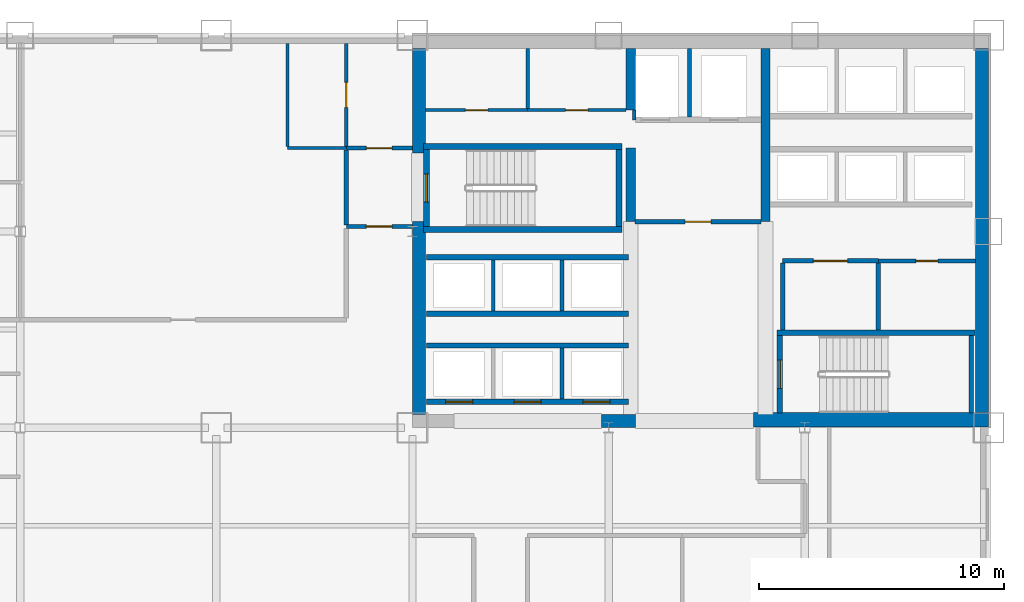
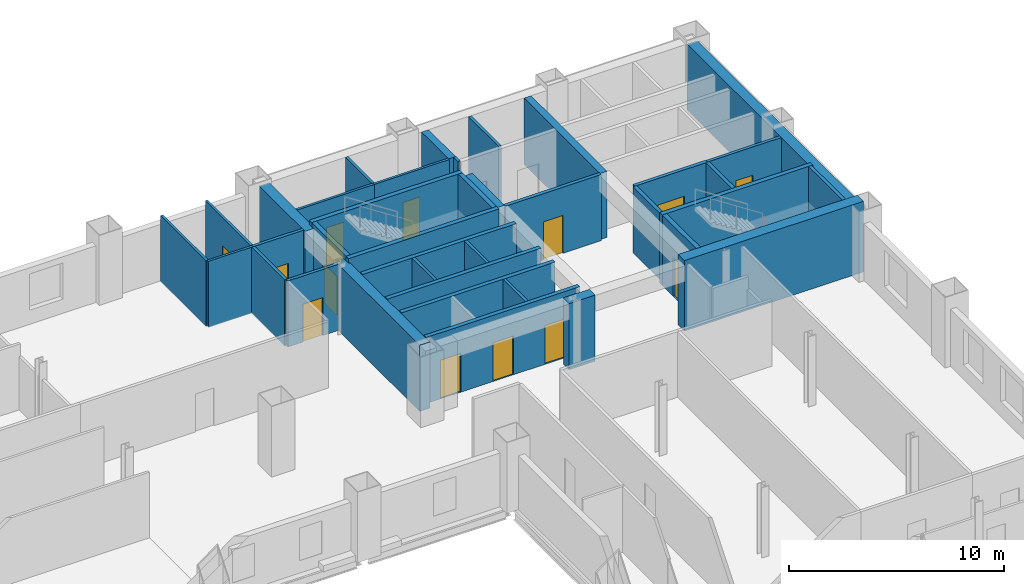
# One storey, part 6 of 9: 38 walls, 13 doors, 13 openings.
"""IFC4 building model written with IfcOpenShell, lengths in metres."""

from ifc_helpers import new_model, si_unit, direction, frame, frame_2d, origin, place, context, subcontext, project, spatial, rectangle, extrude, material, layer, layer_set, type_object, element, fill, save


model = new_model("IFC4")

# Units and contexts
model_context = context("Model", 3, precision=1e-05, world=origin(), true_north=direction((0.0, 1.0)))
body_context = subcontext(model_context, "Body", "Model", "MODEL_VIEW")
ifc_project = project(units=[si_unit("LENGTHUNIT", "METRE"), si_unit("AREAUNIT", "SQUARE_METRE"), si_unit("VOLUMEUNIT", "CUBIC_METRE"), si_unit("PLANEANGLEUNIT", "RADIAN"), si_unit("MASSUNIT", "GRAM", prefix="KILO")], contexts=[model_context])

# Site, building, storey
site_placement = place(None, origin())
site = spatial("IfcSite", under=ifc_project, at=site_placement, CompositionType="ELEMENT")
building_placement = place(site_placement, origin())
building = spatial("IfcBuilding", under=site, at=building_placement, Name="Qianrong Seaharbour Tower", CompositionType="ELEMENT")
storey_placement = place(building_placement, frame((0.0, 0.0, 68.199951171875)))
storey = spatial("IfcBuildingStorey", under=building, at=storey_placement, Name="L16", CompositionType="ELEMENT", Elevation=68.199951171875)

# Walls
ifc_material_1 = material(Name="Concrete C70/85", Category="concrete")
ifc_layer_1 = layer(ifc_material_1, 0.5400390625)
ifc_layer_set_1 = layer_set([ifc_layer_1], Name="Concrete C70/85")
wall_type_1 = type_object("IfcWallType", Name="WALL-CORE-540", PredefinedType="SHEAR", material=ifc_layer_set_1)
wall_1_placement = place(storey_placement, frame((63.72998046875, 36.320068359375, 0.0), z_axis=(0.0, 0.0, 1.0), x_axis=(0.0, 1.0, 0.0)))
element("IfcWall", 1, at=wall_1_placement, inside=storey, type_object=wall_type_1, Name="L16 East Core Shear Wall", PredefinedType="SHEAR", context=body_context, shape_type="SweptSolid", body=[
    extrude(rectangle(XDim=15.139892578125, YDim=0.5400390625, at=frame_2d((7.56982421875, 0.0))), origin(), (0.0, 0.0, 1.0), 3.75),
])
wall_2_placement = place(storey_placement, frame((40.77001953125, 36.5400390625, 0.0), z_axis=(0.0, 0.0, 1.0), x_axis=(0.0, 1.0, 0.0)))
element("IfcWall", 2, at=wall_2_placement, inside=storey, type_object=wall_type_1, Name="L16 West Core Shear Wall South", PredefinedType="SHEAR", context=body_context, shape_type="SweptSolid", body=[
    extrude(rectangle(XDim=7.85986328125, YDim=0.5400390625, at=frame_2d((3.929931640625, 0.0))), origin(), (0.0, 0.0, 1.0), 3.75),
])
wall_3_placement = place(storey_placement, frame((40.77001953125, 47.199951171875, 0.0), z_axis=(0.0, 0.0, 1.0), x_axis=(0.0, 1.0, 0.0)))
element("IfcWall", 3, at=wall_3_placement, inside=storey, type_object=wall_type_1, Name="L16 West Core Shear Wall North", PredefinedType="SHEAR", context=body_context, shape_type="SweptSolid", body=[
    extrude(rectangle(XDim=4.260009765625, YDim=0.5400390625, at=frame_2d((2.1298828125, 0.0))), origin(), (0.0, 0.0, 1.0), 3.75),
])
wall_4_placement = place(storey_placement, frame((48.199951171875, 36.27001953125, 0.0), z_axis=(0.0, 0.0, 1.0), x_axis=(1.0, 0.0, 0.0)))
element("IfcWall", 4, at=wall_4_placement, inside=storey, type_object=wall_type_1, Name="L16 South Core Shear Wall S2", PredefinedType="SHEAR", context=body_context, shape_type="SweptSolid", body=[
    extrude(rectangle(XDim=1.400146484375, YDim=0.5400390625, at=frame_2d((0.7001953125, 0.0))), origin(), (0.0, 0.0, 1.0), 3.75),
])
ifc_layer_2 = layer(ifc_material_1, 0.580078125)
ifc_layer_set_2 = layer_set([ifc_layer_2], Name="Concrete C70/85")
wall_type_2 = type_object("IfcWallType", Name="WALL-CORE-580", PredefinedType="SHEAR", material=ifc_layer_set_2)
wall_5_placement = place(storey_placement, frame((54.39990234375, 36.320068359375, 0.0), z_axis=(0.0, 0.0, 1.0), x_axis=(1.0, 0.0, 0.0)))
element("IfcWall", 5, at=wall_5_placement, inside=storey, type_object=wall_type_2, Name="L16 South Core Shear Wall S3", PredefinedType="SHEAR", context=body_context, shape_type="SweptSolid", body=[
    extrude(rectangle(XDim=9.60009765625, YDim=0.580078125, at=frame_2d((4.800048828125, 0.0))), origin(), (0.0, 0.0, 1.0), 4.0),
])
ifc_material_2 = material(Name="Concrete C60/75", Category="concrete")
ifc_layer_3 = layer(ifc_material_2, 0.3798828125)
ifc_layer_set_3 = layer_set([ifc_layer_3], Name="Concrete C60/75")
wall_type_3 = type_object("IfcWallType", Name="WALL-CORE-INT-380", PredefinedType="SHEAR", material=ifc_layer_set_3)
wall_6_placement = place(storey_placement, frame((49.39990234375, 44.39990234375, 0.0), z_axis=(0.0, 0.0, 1.0), x_axis=(0.0, 1.0, 0.0)))
element("IfcWall", 6, at=wall_6_placement, inside=storey, type_object=wall_type_3, Name="L16 Internal Core Shear Wall IW1N1", PredefinedType="SHEAR", context=body_context, shape_type="SweptSolid", body=[
    extrude(rectangle(XDim=3.0, YDim=0.3798828125, at=frame_2d((1.5, 0.0))), origin(), (0.0, 0.0, 1.0), 3.75),
])
wall_7_placement = place(storey_placement, frame((49.39990234375, 48.949951171875, 0.0), z_axis=(0.0, 0.0, 1.0), x_axis=(0.0, 1.0, 0.0)))
element("IfcWall", 7, at=wall_7_placement, inside=storey, type_object=wall_type_3, Name="L16 Internal Core Shear Wall IW1N2", PredefinedType="SHEAR", context=body_context, shape_type="SweptSolid", body=[
    extrude(rectangle(XDim=2.510009765625, YDim=0.3798828125, at=frame_2d((1.2548828125, 0.0))), origin(), (0.0, 0.0, 1.0), 3.75),
])
wall_8_placement = place(storey_placement, frame((54.89990234375, 44.39990234375, 0.0), z_axis=(0.0, 0.0, 1.0), x_axis=(0.0, 1.0, 0.0)))
element("IfcWall", 8, at=wall_8_placement, inside=storey, type_object=wall_type_3, Name="L16 Internal Core Shear Wall IW2N", PredefinedType="SHEAR", context=body_context, shape_type="SweptSolid", body=[
    extrude(rectangle(XDim=7.06005859375, YDim=0.3798828125, at=frame_2d((3.530029296875, 0.0))), origin(), (0.0, 0.0, 1.0), 3.75),
])

# Wall, opening, door
ifc_material_3 = material(Name="Fire-rated acoustic gypsum board partition")
ifc_layer_4 = layer(ifc_material_3, 0.1650390625)
ifc_layer_set_4 = layer_set([ifc_layer_4], Name="Fire-rated acoustic gypsum board partition")
wall_type_4 = type_object("IfcWallType", Name="WALL-CORR-PART-165", PredefinedType="PARTITIONING", material=ifc_layer_set_4)
wall_9_placement = place(storey_placement, frame((37.800048828125, 47.39990234375, 0.0), z_axis=(0.0, 0.0, 1.0), x_axis=(1.0, 0.0, 0.0)))
wall_9 = element("IfcWall", 9, at=wall_9_placement, inside=storey, type_object=wall_type_4, Name="L16 Interior Partition Wall 001", PredefinedType="PARTITIONING", context=body_context, shape_type="SweptSolid", body=[
    extrude(rectangle(XDim=2.699951171875, YDim=0.1650390625, at=frame_2d((1.35009765625, 0.0))), origin(), (0.0, 0.0, 1.0), 3.75),
])
opening_1_placement = place(wall_9_placement, frame((0.824951171875, 0.0, 0.0)))
opening_1 = element("IfcOpeningElement", 10, at=opening_1_placement, cuts=wall_9, Name="Opening DC-01", PredefinedType="OPENING", context=body_context, shape_type="SweptSolid", body=[
    extrude(rectangle(XDim=1.050048828125, YDim=2.14990234375, at=frame_2d((0.52490234375, 1.074951171875))), frame((0.0, 0.092529296875, 0.0), z_axis=(0.0, -1.0, 0.0), x_axis=(1.0, 0.0, 0.0)), (0.0, 0.0, 1.0), 0.18505859375),
])
ifc_material_4 = material(Name="Acoustic timber and galvanized steel fire door assembly", Category="steel")
door_type_1 = type_object("IfcDoorType", Name="DOOR-CORR-FD60-1050x2150", OperationType="NOTDEFINED", PredefinedType="DOOR", material=ifc_material_4)
door_1_placement = place(opening_1_placement, origin())
door_1 = element("IfcDoor", 11, at=door_1_placement, inside=storey, type_object=door_type_1, Name="L16 Smokeproof Stair Vestibule ST-1 Door", OperationType="SINGLE_SWING_LEFT", OverallHeight=2.14990234375, OverallWidth=1.050048828125, PredefinedType="DOOR", context=body_context, shape_type="SweptSolid", body=[
    extrude(rectangle(XDim=1.050048828125, YDim=2.14990234375, at=frame_2d((0.52490234375, 1.074951171875))), frame((0.0, 0.02490234375, 0.0), z_axis=(0.0, -1.0, 0.0), x_axis=(1.0, 0.0, 0.0)), (0.0, 0.0, 1.0), 0.050048828125),
])
fill(opening_1, door_1)

wall_10_placement = place(storey_placement, frame((40.5, 44.199951171875, 0.0), z_axis=(0.0, 0.0, 1.0), x_axis=(-1.0, 0.0, 0.0)))
wall_10 = element("IfcWall", 12, at=wall_10_placement, inside=storey, type_object=wall_type_4, Name="L16 Interior Partition Wall 002", PredefinedType="PARTITIONING", context=body_context, shape_type="SweptSolid", body=[
    extrude(rectangle(XDim=2.699951171875, YDim=0.1650390625, at=frame_2d((1.35009765625, 0.0))), origin(), (0.0, 0.0, 1.0), 3.75),
])
opening_2_placement = place(wall_10_placement, frame((0.824951171875, 0.0, 0.0)))
opening_2 = element("IfcOpeningElement", 13, at=opening_2_placement, cuts=wall_10, Name="Opening DC-01", PredefinedType="OPENING", context=body_context, shape_type="SweptSolid", body=[
    extrude(rectangle(XDim=1.050048828125, YDim=2.14990234375, at=frame_2d((0.52490234375, 1.074951171875))), frame((0.0, 0.092529296875, 0.0), z_axis=(0.0, -1.0, 0.0), x_axis=(1.0, 0.0, 0.0)), (0.0, 0.0, 1.0), 0.18505859375),
])
door_2_placement = place(opening_2_placement, origin())
door_2 = element("IfcDoor", 14, at=door_2_placement, inside=storey, type_object=door_type_1, Name="L16 Smokeproof Stair Vestibule ST-1 Door", OperationType="SINGLE_SWING_RIGHT", OverallHeight=2.14990234375, OverallWidth=1.050048828125, PredefinedType="DOOR", context=body_context, shape_type="SweptSolid", body=[
    extrude(rectangle(XDim=1.050048828125, YDim=2.14990234375, at=frame_2d((0.52490234375, 1.074951171875))), frame((0.0, 0.02490234375, 0.0), z_axis=(0.0, -1.0, 0.0), x_axis=(1.0, 0.0, 0.0)), (0.0, 0.0, 1.0), 0.050048828125),
])
fill(opening_2, door_2)

# Wall
wall_11_placement = place(storey_placement, frame((37.800048828125, 44.2744140625, 0.0), z_axis=(0.0, 0.0, 1.0), x_axis=(0.0, 1.0, 0.0)))
element("IfcWall", 15, at=wall_11_placement, inside=storey, type_object=wall_type_4, Name="L16 Interior Partition Wall 003", PredefinedType="PARTITIONING", context=body_context, shape_type="SweptSolid", body=[
    extrude(rectangle(XDim=3.051025390625, YDim=0.1650390625, at=frame_2d((1.525390625, 0.0))), origin(), (0.0, 0.0, 1.0), 3.75),
])

# Wall, opening, door
wall_12_placement = place(storey_placement, frame((63.4599609375, 42.800048828125, 0.0), z_axis=(0.0, 0.0, 1.0), x_axis=(-1.0, 0.0, 0.0)))
wall_12 = element("IfcWall", 16, at=wall_12_placement, inside=storey, type_object=wall_type_4, Name="L16 Interior Partition Wall 012", PredefinedType="PARTITIONING", context=body_context, shape_type="SweptSolid", body=[
    extrude(rectangle(XDim=3.9599609375, YDim=0.1650390625, at=frame_2d((1.97998046875, 0.0))), origin(), (0.0, 0.0, 1.0), 3.75),
])
opening_3_placement = place(wall_12_placement, frame((1.530029296875, 0.0, 0.0)))
opening_3 = element("IfcOpeningElement", 17, at=opening_3_placement, cuts=wall_12, Name="Opening DS-01", PredefinedType="OPENING", context=body_context, shape_type="SweptSolid", body=[
    extrude(rectangle(XDim=0.89990234375, YDim=2.14990234375, at=frame_2d((0.449951171875, 1.074951171875))), frame((0.0, 0.092529296875, 0.0), z_axis=(0.0, -1.0, 0.0), x_axis=(1.0, 0.0, 0.0)), (0.0, 0.0, 1.0), 0.18505859375),
])
door_type_2 = type_object("IfcDoorType", Name="DOOR-STORE-900x2150", OperationType="NOTDEFINED", PredefinedType="DOOR", material=ifc_material_4)
door_3_placement = place(opening_3_placement, origin())
door_3 = element("IfcDoor", 18, at=door_3_placement, inside=storey, type_object=door_type_2, Name="L16 Cleaner Store Room Door", OperationType="SINGLE_SWING_LEFT", OverallHeight=2.14990234375, OverallWidth=0.89990234375, PredefinedType="DOOR", context=body_context, shape_type="SweptSolid", body=[
    extrude(rectangle(XDim=0.89990234375, YDim=2.14990234375, at=frame_2d((0.449951171875, 1.074951171875))), frame((0.0, 0.02490234375, 0.0), z_axis=(0.0, -1.0, 0.0), x_axis=(1.0, 0.0, 0.0)), (0.0, 0.0, 1.0), 0.050048828125),
])
fill(opening_3, door_3)

ifc_material_5 = material(Name="Double fire-rated gypsum board acoustic partition")
ifc_layer_5 = layer(ifc_material_5, 0.18994140625)
ifc_layer_set_5 = layer_set([ifc_layer_5], Name="Double fire-rated gypsum board acoustic partition")
wall_type_5 = type_object("IfcWallType", Name="WALL-FIRE-PART-190", PredefinedType="PARTITIONING", material=ifc_layer_set_5)
wall_13_placement = place(storey_placement, frame((54.718017578125, 44.39990234375, 0.0), z_axis=(0.0, 0.0, 1.0), x_axis=(-1.0, 0.0, 0.0)))
wall_13 = element("IfcWall", 19, at=wall_13_placement, inside=storey, type_object=wall_type_5, Name="L16 Interior Partition Wall 009", PredefinedType="PARTITIONING", context=body_context, shape_type="SweptSolid", body=[
    extrude(rectangle(XDim=5.135986328125, YDim=0.18994140625, at=frame_2d((2.56787109375, 0.0))), origin(), (0.0, 0.0, 1.0), 3.75),
])
opening_4_placement = place(wall_13_placement, frame((2.04296875, 0.0, 0.0)))
opening_4 = element("IfcOpeningElement", 20, at=opening_4_placement, cuts=wall_13, Name="Opening DC-01", PredefinedType="OPENING", context=body_context, shape_type="SweptSolid", body=[
    extrude(rectangle(XDim=1.050048828125, YDim=2.14990234375, at=frame_2d((0.52490234375, 1.074951171875))), frame((0.0, 0.10498046875, 0.0), z_axis=(0.0, -1.0, 0.0), x_axis=(1.0, 0.0, 0.0)), (0.0, 0.0, 1.0), 0.2099609375),
])
door_4_placement = place(opening_4_placement, origin())
door_4 = element("IfcDoor", 21, at=door_4_placement, inside=storey, type_object=door_type_1, Name="L16 Firefighting Lift Lobby Door", OperationType="SINGLE_SWING_RIGHT", OverallHeight=2.14990234375, OverallWidth=1.050048828125, PredefinedType="DOOR", context=body_context, shape_type="SweptSolid", body=[
    extrude(rectangle(XDim=1.050048828125, YDim=2.14990234375, at=frame_2d((0.52490234375, 1.074951171875))), frame((0.0, 0.02490234375, 0.0), z_axis=(0.0, -1.0, 0.0), x_axis=(1.0, 0.0, 0.0)), (0.0, 0.0, 1.0), 0.050048828125),
])
fill(opening_4, door_4)

# Wall
wall_14_placement = place(storey_placement, frame((55.60009765625, 42.712890625, 0.0), z_axis=(0.0, 0.0, 1.0), x_axis=(0.0, -1.0, 0.0)))
element("IfcWall", 22, at=wall_14_placement, inside=storey, type_object=wall_type_5, Name="L16 Interior Partition Wall 010", PredefinedType="PARTITIONING", context=body_context, shape_type="SweptSolid", body=[
    extrude(rectangle(XDim=2.73095703125, YDim=0.18994140625, at=frame_2d((1.365478515625, 0.0))), origin(), (0.0, 0.0, 1.0), 3.75),
])

# Wall, opening, door
wall_15_placement = place(storey_placement, frame((59.5, 42.800048828125, 0.0), z_axis=(0.0, 0.0, 1.0), x_axis=(-1.0, 0.0, 0.0)))
wall_15 = element("IfcWall", 23, at=wall_15_placement, inside=storey, type_object=wall_type_5, Name="L16 Interior Partition Wall 011", PredefinedType="PARTITIONING", context=body_context, shape_type="SweptSolid", body=[
    extrude(rectangle(XDim=3.89990234375, YDim=0.18994140625, at=frame_2d((1.949951171875, 0.0))), origin(), (0.0, 0.0, 1.0), 3.75),
])
opening_5_placement = place(wall_15_placement, frame((1.25, 0.0, 0.0)))
opening_5 = element("IfcOpeningElement", 24, at=opening_5_placement, cuts=wall_15, Name="Opening DP-01", PredefinedType="OPENING", context=body_context, shape_type="SweptSolid", body=[
    extrude(rectangle(XDim=1.39990234375, YDim=2.25, at=frame_2d((0.699951171875, 1.125))), frame((0.0, 0.10498046875, 0.0), z_axis=(0.0, -1.0, 0.0), x_axis=(1.0, 0.0, 0.0)), (0.0, 0.0, 1.0), 0.2099609375),
])
door_type_3 = type_object("IfcDoorType", Name="DOOR-PLANT-PAIR-1400x2250", OperationType="DOUBLE_DOOR_SINGLE_SWING", PredefinedType="DOOR", material=ifc_material_4)
door_5_placement = place(opening_5_placement, origin())
door_5 = element("IfcDoor", 25, at=door_5_placement, inside=storey, type_object=door_type_3, Name="L16 Electrical Substation Door", OperationType="DOUBLE_DOOR_SINGLE_SWING", OverallHeight=2.25, OverallWidth=1.39990234375, PredefinedType="DOOR", context=body_context, shape_type="SweptSolid", body=[
    extrude(rectangle(XDim=1.39990234375, YDim=2.25, at=frame_2d((0.699951171875, 1.125))), frame((0.0, 0.02490234375, 0.0), z_axis=(0.0, -1.0, 0.0), x_axis=(1.0, 0.0, 0.0)), (0.0, 0.0, 1.0), 0.050048828125),
])
fill(opening_5, door_5)

# Walls
wall_16_placement = place(storey_placement, frame((59.5, 42.712890625, 0.0), z_axis=(0.0, 0.0, 1.0), x_axis=(0.0, -1.0, 0.0)))
element("IfcWall", 26, at=wall_16_placement, inside=storey, type_object=wall_type_5, Name="L16 Interior Partition Wall 014", PredefinedType="PARTITIONING", context=body_context, shape_type="SweptSolid", body=[
    extrude(rectangle(XDim=2.73095703125, YDim=0.18994140625, at=frame_2d((1.365478515625, 0.0))), origin(), (0.0, 0.0, 1.0), 3.75),
])
ifc_material_6 = material(Name="Fire-rated gypsum board on steel studs", Category="steel")
ifc_layer_6 = layer(ifc_material_6, 0.14990234375)
ifc_layer_set_6 = layer_set([ifc_layer_6], Name="Fire-rated gypsum board on steel studs")
wall_type_6 = type_object("IfcWallType", Name="WALL-SHAFT-DIV-150", PredefinedType="PARTITIONING", material=ifc_layer_set_6)
wall_17_placement = place(storey_placement, frame((51.800048828125, 48.669921875, 0.0), z_axis=(0.0, 0.0, 1.0), x_axis=(0.0, 1.0, 0.0)))
element("IfcWall", 27, at=wall_17_placement, inside=storey, type_object=wall_type_6, Name="L16 Firefighting Lift Shaft Divider Wall", PredefinedType="PARTITIONING", context=body_context, shape_type="SweptSolid", body=[
    extrude(rectangle(XDim=2.7900390625, YDim=0.14990234375, at=frame_2d((1.39501953125, 0.0))), origin(), (0.0, 0.0, 1.0), 3.75),
])
wall_18_placement = place(storey_placement, frame((49.550048828125, 48.550048828125, 0.0), z_axis=(0.0, 0.0, 1.0), x_axis=(0.0, 1.0, 0.0)))
element("IfcWall", 28, at=wall_18_placement, inside=storey, type_object=wall_type_6, Name="L16 Firefighting Lift Shaft West Return Wall", PredefinedType="PARTITIONING", context=body_context, shape_type="SweptSolid", body=[
    extrude(rectangle(XDim=0.39990234375, YDim=0.14990234375, at=frame_2d((0.199951171875, 0.0))), origin(), (0.0, 0.0, 1.0), 3.75),
])
for number, where, z_axis, x_axis, name in (
    (29, (46.60009765625, 37.159912109375, 0.0), (0.0, 0.0, 1.0), (0.0, 1.0, 0.0), "L16 P1 Lift Hoistway Divider 3"),
    (30, (43.800048828125, 40.760009765625, 0.0), (0.0, 0.0, 1.0), (0.0, 1.0, 0.0), "L16 P2 Lift Hoistway Divider 2"),
    (31, (46.60009765625, 40.760009765625, 0.0), (0.0, 0.0, 1.0), (0.0, 1.0, 0.0), "L16 P2 Lift Hoistway Divider 3"),
):
    element("IfcWall", number, at=place(storey_placement, frame(where, z_axis=z_axis, x_axis=x_axis)), inside=storey, type_object=wall_type_6, Name=name, PredefinedType="PARTITIONING", context=body_context, shape_type="SweptSolid", body=[
        extrude(rectangle(XDim=2.080078125, YDim=0.14990234375, at=frame_2d((1.0400390625, 0.0))), origin(), (0.0, 0.0, 1.0), 3.75),
    ])

# Wall, openings, doors
ifc_layer_7 = layer(ifc_material_6, 0.219970703125)
ifc_layer_set_7 = layer_set([ifc_layer_7], Name="Fire-rated gypsum board on steel studs")
wall_type_7 = type_object("IfcWallType", Name="WALL-SHAFT-GYP220", PredefinedType="PARTITIONING", material=ifc_layer_set_7)
wall_19_placement = place(storey_placement, frame((49.320068359375, 37.050048828125, 0.0), z_axis=(0.0, 0.0, 1.0), x_axis=(-1.0, 0.0, 0.0)))
wall_19 = element("IfcWall", 32, at=wall_19_placement, inside=storey, type_object=wall_type_7, Name="L16 P1 Lift Hoistway Front Wall", PredefinedType="PARTITIONING", context=body_context, shape_type="SweptSolid", body=[
    extrude(rectangle(XDim=8.239990234375, YDim=0.219970703125, at=frame_2d((4.1201171875, 0.0))), origin(), (0.0, 0.0, 1.0), 3.75),
])
opening_6_placement = place(wall_19_placement, frame((6.3701171875, 0.0, 0.0)))
opening_6 = element("IfcOpeningElement", 33, at=opening_6_placement, cuts=wall_19, Name="Opening LD-02", PredefinedType="OPENING", context=body_context, shape_type="SweptSolid", body=[
    extrude(rectangle(XDim=1.10009765625, YDim=2.199951171875, at=frame_2d((0.550048828125, 1.10009765625))), frame((0.0, 0.1201171875, 0.0), z_axis=(0.0, -1.0, 0.0), x_axis=(1.0, 0.0, 0.0)), (0.0, 0.0, 1.0), 0.239990234375),
])
opening_7_placement = place(wall_19_placement, frame((3.570068359375, 0.0, 0.0)))
opening_7 = element("IfcOpeningElement", 34, at=opening_7_placement, cuts=wall_19, Name="Opening LD-02", PredefinedType="OPENING", context=body_context, shape_type="SweptSolid", body=[
    extrude(rectangle(XDim=1.10009765625, YDim=2.199951171875, at=frame_2d((0.550048828125, 1.10009765625))), frame((0.0, 0.1201171875, 0.0), z_axis=(0.0, -1.0, 0.0), x_axis=(1.0, 0.0, 0.0)), (0.0, 0.0, 1.0), 0.239990234375),
])
opening_8_placement = place(wall_19_placement, frame((0.77001953125, 0.0, 0.0)))
opening_8 = element("IfcOpeningElement", 35, at=opening_8_placement, cuts=wall_19, Name="Opening LD-02", PredefinedType="OPENING", context=body_context, shape_type="SweptSolid", body=[
    extrude(rectangle(XDim=1.10009765625, YDim=2.199951171875, at=frame_2d((0.550048828125, 1.10009765625))), frame((0.0, 0.1201171875, 0.0), z_axis=(0.0, -1.0, 0.0), x_axis=(1.0, 0.0, 0.0)), (0.0, 0.0, 1.0), 0.239990234375),
])
ifc_material_7 = material(Name="Stainless steel SUS316L bi-parting lift landing door", Category="steel")
door_type_4 = type_object("IfcDoorType", Name="DOOR-LIFT-PASS-1100x2200", OperationType="DOUBLE_DOOR_SLIDING", PredefinedType="DOOR", material=ifc_material_7)
door_6_placement = place(opening_6_placement, origin())
door_6 = element("IfcDoor", 36, at=door_6_placement, inside=storey, type_object=door_type_4, Name="L16 PL-1A Lift Landing Door", OperationType="DOUBLE_DOOR_SLIDING", OverallHeight=2.199951171875, OverallWidth=1.10009765625, PredefinedType="DOOR", context=body_context, shape_type="SweptSolid", body=[
    extrude(rectangle(XDim=1.10009765625, YDim=2.199951171875, at=frame_2d((0.550048828125, 1.10009765625))), frame((0.0, 0.02490234375, 0.0), z_axis=(0.0, -1.0, 0.0), x_axis=(1.0, 0.0, 0.0)), (0.0, 0.0, 1.0), 0.050048828125),
])
fill(opening_6, door_6)
door_7_placement = place(opening_7_placement, origin())
door_7 = element("IfcDoor", 37, at=door_7_placement, inside=storey, type_object=door_type_4, Name="L16 PL-1B Lift Landing Door", OperationType="DOUBLE_DOOR_SLIDING", OverallHeight=2.199951171875, OverallWidth=1.10009765625, PredefinedType="DOOR", context=body_context, shape_type="SweptSolid", body=[
    extrude(rectangle(XDim=1.10009765625, YDim=2.199951171875, at=frame_2d((0.550048828125, 1.10009765625))), frame((0.0, 0.02490234375, 0.0), z_axis=(0.0, -1.0, 0.0), x_axis=(1.0, 0.0, 0.0)), (0.0, 0.0, 1.0), 0.050048828125),
])
fill(opening_7, door_7)
door_8_placement = place(opening_8_placement, origin())
door_8 = element("IfcDoor", 38, at=door_8_placement, inside=storey, type_object=door_type_4, Name="L16 PL-1C Lift Landing Door", OperationType="DOUBLE_DOOR_SLIDING", OverallHeight=2.199951171875, OverallWidth=1.10009765625, PredefinedType="DOOR", context=body_context, shape_type="SweptSolid", body=[
    extrude(rectangle(XDim=1.10009765625, YDim=2.199951171875, at=frame_2d((0.550048828125, 1.10009765625))), frame((0.0, 0.02490234375, 0.0), z_axis=(0.0, -1.0, 0.0), x_axis=(1.0, 0.0, 0.0)), (0.0, 0.0, 1.0), 0.050048828125),
])
fill(opening_8, door_8)

# Walls
for number, where, z_axis, x_axis, name in (
    (39, (41.080078125, 39.35009765625, 0.0), (0.0, 0.0, 1.0), (1.0, 0.0, 0.0), "L16 P1 Lift Hoistway Back Wall"),
    (40, (49.320068359375, 40.64990234375, 0.0), (0.0, 0.0, 1.0), (-1.0, 0.0, 0.0), "L16 P2 Lift Hoistway Front Wall"),
    (41, (41.080078125, 42.949951171875, 0.0), (0.0, 0.0, 1.0), (1.0, 0.0, 0.0), "L16 P2 Lift Hoistway Back Wall"),
):
    element("IfcWall", number, at=place(storey_placement, frame(where, z_axis=z_axis, x_axis=x_axis)), inside=storey, type_object=wall_type_7, Name=name, PredefinedType="PARTITIONING", context=body_context, shape_type="SweptSolid", body=[
        extrude(rectangle(XDim=8.239990234375, YDim=0.219970703125, at=frame_2d((4.1201171875, 0.0))), origin(), (0.0, 0.0, 1.0), 3.75),
    ])
ifc_material_8 = material(Name="Concrete C50/60", Category="concrete")
ifc_layer_8 = layer(ifc_material_8, 0.239990234375)
ifc_layer_set_8 = layer_set([ifc_layer_8], Name="Concrete C50/60")
wall_type_8 = type_object("IfcWallType", Name="WALL-SHAFT-RC240", PredefinedType="SOLIDWALL", material=ifc_layer_set_8)
for number, where, z_axis, x_axis, name in (
    (42, (40.9599609375, 47.469970703125, 0.0), (0.0, 0.0, 1.0), (1.0, 0.0, 0.0), "L16 ST-1 Structural Stair Core Wall N"),
    (43, (49.0400390625, 44.080078125, 0.0), (0.0, 0.0, 1.0), (-1.0, 0.0, 0.0), "L16 ST-1 Structural Stair Core Wall S"),
):
    element("IfcWall", number, at=place(storey_placement, frame(where, z_axis=z_axis, x_axis=x_axis)), inside=storey, type_object=wall_type_8, Name=name, PredefinedType="SOLIDWALL", context=body_context, shape_type="SweptSolid", body=[
        extrude(rectangle(XDim=8.080078125, YDim=0.239990234375, at=frame_2d((4.0400390625, 0.0))), origin(), (0.0, 0.0, 1.0), 4.0),
    ])

# Wall, opening, door
wall_20_placement = place(storey_placement, frame((41.080078125, 47.35009765625, 0.0), z_axis=(0.0, 0.0, 1.0), x_axis=(0.0, -1.0, 0.0)))
wall_20 = element("IfcWall", 44, at=wall_20_placement, inside=storey, type_object=wall_type_8, Name="L16 ST-1 Structural Stair Core Wall W", PredefinedType="SOLIDWALL", context=body_context, shape_type="SweptSolid", body=[
    extrude(rectangle(XDim=3.150146484375, YDim=0.239990234375, at=frame_2d((1.5751953125, 0.0))), origin(), (0.0, 0.0, 1.0), 4.0),
])
opening_9_placement = place(wall_20_placement, frame((1.0, 0.0, 0.0)))
opening_9 = element("IfcOpeningElement", 45, at=opening_9_placement, cuts=wall_20, Name="Opening SD-01", PredefinedType="OPENING", context=body_context, shape_type="SweptSolid", body=[
    extrude(rectangle(XDim=1.14990234375, YDim=2.199951171875, at=frame_2d((0.574951171875, 1.10009765625))), frame((0.0, 0.1298828125, 0.0), z_axis=(0.0, -1.0, 0.0), x_axis=(1.0, 0.0, 0.0)), (0.0, 0.0, 1.0), 0.260009765625),
])
door_type_5 = type_object("IfcDoorType", Name="DOOR-STAIR-FD60-1150x2200", OperationType="NOTDEFINED", PredefinedType="DOOR", material=ifc_material_4)
door_9_placement = place(opening_9_placement, origin())
door_9 = element("IfcDoor", 46, at=door_9_placement, inside=storey, type_object=door_type_5, Name="L16 ST-1 Protected Stair Door", OperationType="SINGLE_SWING_LEFT", OverallHeight=2.199951171875, OverallWidth=1.14990234375, PredefinedType="DOOR", context=body_context, shape_type="SweptSolid", body=[
    extrude(rectangle(XDim=1.14990234375, YDim=2.199951171875, at=frame_2d((0.574951171875, 1.10009765625))), frame((0.0, 0.02490234375, 0.0), z_axis=(0.0, -1.0, 0.0), x_axis=(1.0, 0.0, 0.0)), (0.0, 0.0, 1.0), 0.050048828125),
])
fill(opening_9, door_9)

# Walls
wall_21_placement = place(storey_placement, frame((48.919921875, 44.199951171875, 0.0), z_axis=(0.0, 0.0, 1.0), x_axis=(0.0, 1.0, 0.0)))
element("IfcWall", 47, at=wall_21_placement, inside=storey, type_object=wall_type_8, Name="L16 ST-1 Structural Stair Core Wall E", PredefinedType="SOLIDWALL", context=body_context, shape_type="SweptSolid", body=[
    extrude(rectangle(XDim=3.150146484375, YDim=0.239990234375, at=frame_2d((1.5751953125, 0.0))), origin(), (0.0, 0.0, 1.0), 4.0),
])
wall_22_placement = place(storey_placement, frame((55.360107421875, 39.8701171875, 0.0), z_axis=(0.0, 0.0, 1.0), x_axis=(1.0, 0.0, 0.0)))
element("IfcWall", 48, at=wall_22_placement, inside=storey, type_object=wall_type_8, Name="L16 ST-2 Structural Stair Core Wall N", PredefinedType="SOLIDWALL", context=body_context, shape_type="SweptSolid", body=[
    extrude(rectangle(XDim=8.079833984375, YDim=0.239990234375, at=frame_2d((4.0400390625, 0.0))), origin(), (0.0, 0.0, 1.0), 4.0),
])

# Wall, opening, door
wall_23_placement = place(storey_placement, frame((55.47998046875, 39.75, 0.0), z_axis=(0.0, 0.0, 1.0), x_axis=(0.0, -1.0, 0.0)))
wall_23 = element("IfcWall", 49, at=wall_23_placement, inside=storey, type_object=wall_type_8, Name="L16 ST-2 Structural Stair Core Wall W", PredefinedType="SOLIDWALL", context=body_context, shape_type="SweptSolid", body=[
    extrude(rectangle(XDim=3.14990234375, YDim=0.239990234375, at=frame_2d((1.574951171875, 0.0))), origin(), (0.0, 0.0, 1.0), 4.0),
])
opening_10_placement = place(wall_23_placement, frame((1.0, 0.0, 0.0)))
opening_10 = element("IfcOpeningElement", 50, at=opening_10_placement, cuts=wall_23, Name="Opening SD-01", PredefinedType="OPENING", context=body_context, shape_type="SweptSolid", body=[
    extrude(rectangle(XDim=1.14990234375, YDim=2.199951171875, at=frame_2d((0.574951171875, 1.10009765625))), frame((0.0, 0.1298828125, 0.0), z_axis=(0.0, -1.0, 0.0), x_axis=(1.0, 0.0, 0.0)), (0.0, 0.0, 1.0), 0.260009765625),
])
door_10_placement = place(opening_10_placement, origin())
door_10 = element("IfcDoor", 51, at=door_10_placement, inside=storey, type_object=door_type_5, Name="L16 ST-2 Protected Stair Door", OperationType="SINGLE_SWING_LEFT", OverallHeight=2.199951171875, OverallWidth=1.14990234375, PredefinedType="DOOR", context=body_context, shape_type="SweptSolid", body=[
    extrude(rectangle(XDim=1.14990234375, YDim=2.199951171875, at=frame_2d((0.574951171875, 1.10009765625))), frame((0.0, 0.02490234375, 0.0), z_axis=(0.0, -1.0, 0.0), x_axis=(1.0, 0.0, 0.0)), (0.0, 0.0, 1.0), 0.050048828125),
])
fill(opening_10, door_10)

# Wall
wall_24_placement = place(storey_placement, frame((63.2900390625, 36.60009765625, 0.0), z_axis=(0.0, 0.0, 1.0), x_axis=(0.0, 1.0, 0.0)))
element("IfcWall", 52, at=wall_24_placement, inside=storey, type_object=wall_type_8, Name="L16 ST-2 Structural Stair Core Wall E", PredefinedType="SOLIDWALL", context=body_context, shape_type="SweptSolid", body=[
    extrude(rectangle(XDim=3.14990234375, YDim=0.179931640625, at=frame_2d((1.574951171875, 0.0))), origin(), (0.0, 0.0, 1.0), 4.0),
])

# Wall, opening, door
ifc_material_9 = material(Name="Water-resistant cement board sanitary partition")
ifc_layer_9 = layer(ifc_material_9, 0.1298828125)
ifc_layer_set_9 = layer_set([ifc_layer_9], Name="Water-resistant cement board sanitary partition")
wall_type_9 = type_object("IfcWallType", Name="WALL-WET-PART-130", PredefinedType="PARTITIONING", material=ifc_layer_set_9)
wall_25_placement = place(storey_placement, frame((37.800048828125, 47.474609375, 0.0), z_axis=(0.0, 0.0, 1.0), x_axis=(0.0, 1.0, 0.0)))
wall_25 = element("IfcWall", 53, at=wall_25_placement, inside=storey, type_object=wall_type_9, Name="L16 Interior Partition Wall 004", PredefinedType="PARTITIONING", context=body_context, shape_type="SweptSolid", body=[
    extrude(rectangle(XDim=4.193359375, YDim=0.1298828125, at=frame_2d((2.0966796875, 0.0))), origin(), (0.0, 0.0, 1.0), 3.75),
])
opening_11_placement = place(wall_25_placement, frame((1.5869140625, 0.0, 0.0)))
opening_11 = element("IfcOpeningElement", 54, at=opening_11_placement, cuts=wall_25, Name="Opening DAW-01", PredefinedType="OPENING", context=body_context, shape_type="SweptSolid", body=[
    extrude(rectangle(XDim=1.02001953125, YDim=2.14990234375, at=frame_2d((0.510009765625, 1.074951171875))), frame((0.0, 0.074951171875, 0.0), z_axis=(0.0, -1.0, 0.0), x_axis=(1.0, 0.0, 0.0)), (0.0, 0.0, 1.0), 0.14990234375),
])
door_type_6 = type_object("IfcDoorType", Name="DOOR-AWC-SLIDE-1020x2150", OperationType="SLIDING_TO_LEFT", PredefinedType="DOOR", material=ifc_material_4)
door_11_placement = place(opening_11_placement, origin())
door_11 = element("IfcDoor", 55, at=door_11_placement, inside=storey, type_object=door_type_6, Name="L16 Accessible Restroom WC Door", OperationType="SLIDING_TO_LEFT", OverallHeight=2.14990234375, OverallWidth=1.02001953125, PredefinedType="DOOR", context=body_context, shape_type="SweptSolid", body=[
    extrude(rectangle(XDim=1.02001953125, YDim=2.14990234375, at=frame_2d((0.510009765625, 1.074951171875))), frame((0.0, 0.02490234375, 0.0), z_axis=(0.0, -1.0, 0.0), x_axis=(1.0, 0.0, 0.0)), (0.0, 0.0, 1.0), 0.050048828125),
])
fill(opening_11, door_11)

# Walls
wall_26_placement = place(storey_placement, frame((37.800048828125, 47.39990234375, 0.0), z_axis=(0.0, 0.0, 1.0), x_axis=(-1.0, 0.0, 0.0)))
element("IfcWall", 56, at=wall_26_placement, inside=storey, type_object=wall_type_9, Name="L16 Interior Partition Wall 005", PredefinedType="PARTITIONING", context=body_context, shape_type="SweptSolid", body=[
    extrude(rectangle(XDim=2.400146484375, YDim=0.1298828125, at=frame_2d((1.2001953125, 0.0))), origin(), (0.0, 0.0, 1.0), 3.75),
])
wall_27_placement = place(storey_placement, frame((35.39990234375, 47.45703125, 0.0), z_axis=(0.0, 0.0, 1.0), x_axis=(0.0, 1.0, 0.0)))
element("IfcWall", 57, at=wall_27_placement, inside=storey, type_object=wall_type_9, Name="L16 Interior Partition Wall 006", PredefinedType="PARTITIONING", context=body_context, shape_type="SweptSolid", body=[
    extrude(rectangle(XDim=4.2109375, YDim=0.1298828125, at=frame_2d((2.10546875, 0.0))), origin(), (0.0, 0.0, 1.0), 3.75),
])

# Wall, opening, door
wall_28_placement = place(storey_placement, frame((41.0400390625, 48.949951171875, 0.0), z_axis=(0.0, 0.0, 1.0), x_axis=(1.0, 0.0, 0.0)))
wall_28 = element("IfcWall", 58, at=wall_28_placement, inside=storey, type_object=wall_type_9, Name="L16 Interior Partition Wall 007", PredefinedType="PARTITIONING", context=body_context, shape_type="SweptSolid", body=[
    extrude(rectangle(XDim=4.159912109375, YDim=0.1298828125, at=frame_2d((2.080078125, 0.0))), origin(), (0.0, 0.0, 1.0), 3.75),
])
opening_12_placement = place(wall_28_placement, frame((1.6201171875, 0.0, 0.0)))
opening_12 = element("IfcOpeningElement", 59, at=opening_12_placement, cuts=wall_28, Name="Opening DW-01", PredefinedType="OPENING", context=body_context, shape_type="SweptSolid", body=[
    extrude(rectangle(XDim=0.919921875, YDim=2.14990234375, at=frame_2d((0.4599609375, 1.074951171875))), frame((0.0, 0.074951171875, 0.0), z_axis=(0.0, -1.0, 0.0), x_axis=(1.0, 0.0, 0.0)), (0.0, 0.0, 1.0), 0.14990234375),
])
door_type_7 = type_object("IfcDoorType", Name="DOOR-WC-920x2150", OperationType="NOTDEFINED", PredefinedType="DOOR", material=ifc_material_4)
door_12_placement = place(opening_12_placement, origin())
door_12 = element("IfcDoor", 60, at=door_12_placement, inside=storey, type_object=door_type_7, Name="L16 Male Restroom WC Door", OperationType="SINGLE_SWING_LEFT", OverallHeight=2.14990234375, OverallWidth=0.919921875, PredefinedType="DOOR", context=body_context, shape_type="SweptSolid", body=[
    extrude(rectangle(XDim=0.919921875, YDim=2.14990234375, at=frame_2d((0.4599609375, 1.074951171875))), frame((0.0, 0.02490234375, 0.0), z_axis=(0.0, -1.0, 0.0), x_axis=(1.0, 0.0, 0.0)), (0.0, 0.0, 1.0), 0.050048828125),
])
fill(opening_12, door_12)

wall_29_placement = place(storey_placement, frame((45.199951171875, 48.949951171875, 0.0), z_axis=(0.0, 0.0, 1.0), x_axis=(1.0, 0.0, 0.0)))
wall_29 = element("IfcWall", 61, at=wall_29_placement, inside=storey, type_object=wall_type_9, Name="L16 Interior Partition Wall 008", PredefinedType="PARTITIONING", context=body_context, shape_type="SweptSolid", body=[
    extrude(rectangle(XDim=4.01806640625, YDim=0.1298828125, at=frame_2d((2.009033203125, 0.0))), origin(), (0.0, 0.0, 1.0), 3.75),
])
opening_13_placement = place(wall_29_placement, frame((1.549072265625, 0.0, 0.0)))
opening_13 = element("IfcOpeningElement", 62, at=opening_13_placement, cuts=wall_29, Name="Opening DW-01", PredefinedType="OPENING", context=body_context, shape_type="SweptSolid", body=[
    extrude(rectangle(XDim=0.919921875, YDim=2.14990234375, at=frame_2d((0.4599609375, 1.074951171875))), frame((0.0, 0.074951171875, 0.0), z_axis=(0.0, -1.0, 0.0), x_axis=(1.0, 0.0, 0.0)), (0.0, 0.0, 1.0), 0.14990234375),
])
door_13_placement = place(opening_13_placement, origin())
door_13 = element("IfcDoor", 63, at=door_13_placement, inside=storey, type_object=door_type_7, Name="L16 Female Restroom WC Door", OperationType="SINGLE_SWING_RIGHT", OverallHeight=2.14990234375, OverallWidth=0.919921875, PredefinedType="DOOR", context=body_context, shape_type="SweptSolid", body=[
    extrude(rectangle(XDim=0.919921875, YDim=2.14990234375, at=frame_2d((0.4599609375, 1.074951171875))), frame((0.0, 0.02490234375, 0.0), z_axis=(0.0, -1.0, 0.0), x_axis=(1.0, 0.0, 0.0)), (0.0, 0.0, 1.0), 0.050048828125),
])
fill(opening_13, door_13)

# Wall
wall_30_placement = place(storey_placement, frame((45.199951171875, 51.4599609375, 0.0), z_axis=(0.0, 0.0, 1.0), x_axis=(0.0, -1.0, 0.0)))
element("IfcWall", 64, at=wall_30_placement, inside=storey, type_object=wall_type_9, Name="L16 Interior Partition Wall 013", PredefinedType="PARTITIONING", context=body_context, shape_type="SweptSolid", body=[
    extrude(rectangle(XDim=2.452880859375, YDim=0.1298828125, at=frame_2d((1.2265625, 0.0))), origin(), (0.0, 0.0, 1.0), 3.75),
])

save(model, "model.ifc")
